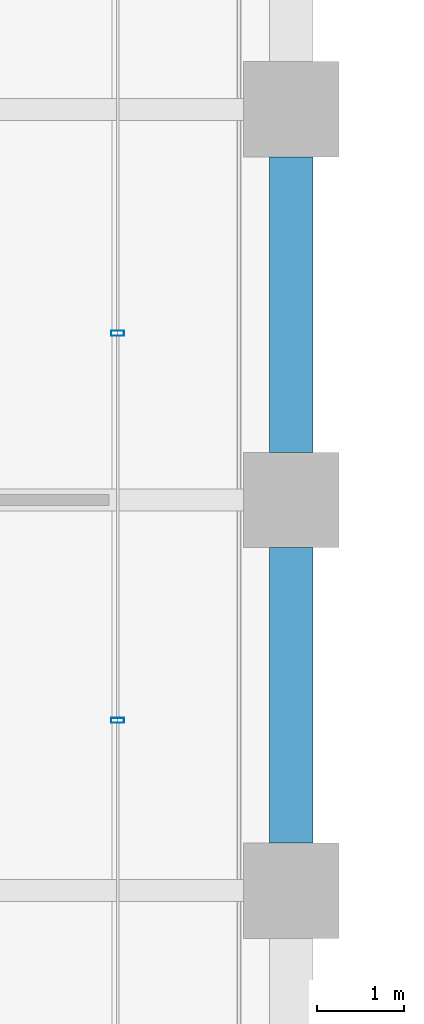
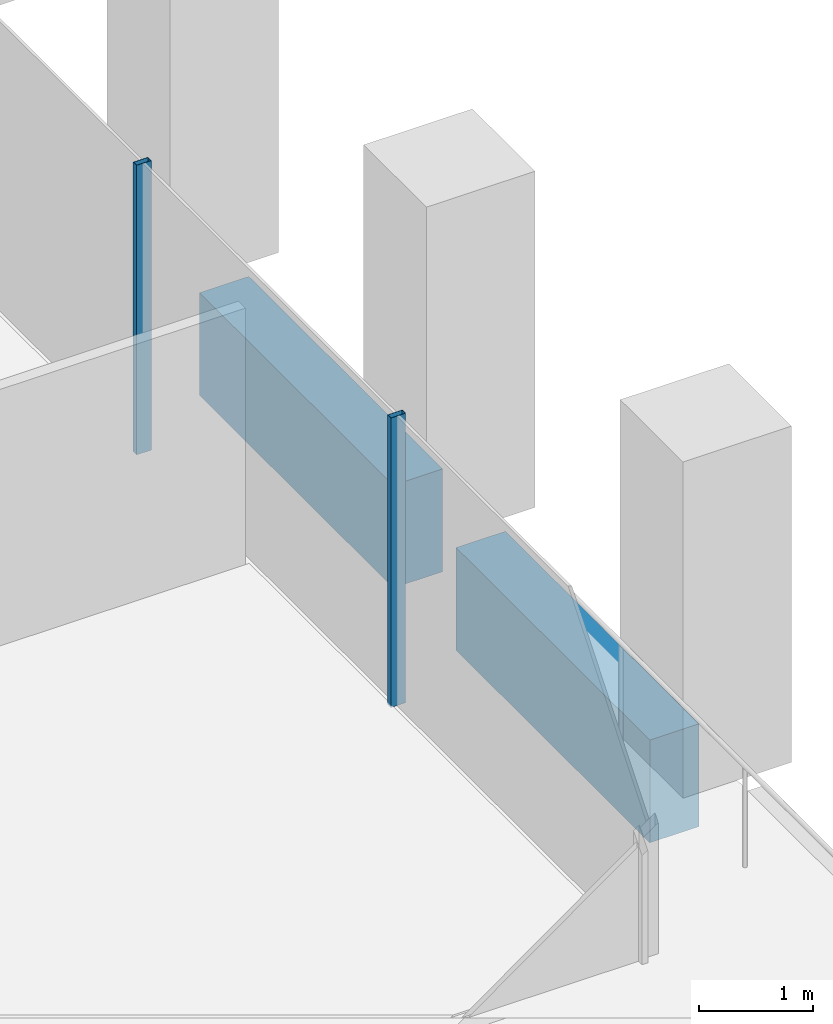
# One storey, part 18 of 54: 2 beams, 2 members, 1 element without a shape of its own.
"""IFC4 building model written with IfcOpenShell, lengths in metres."""

from ifc_helpers import new_model, si_unit, direction, frame, origin, origin_2d, place, context, subcontext, project, spatial, rectangle, hollow_rectangle, extrude, material, material_profile, profile_set, type_object, element, aggregate, save


model = new_model("IFC4")

# Units and contexts
model_context = context("Model", 3, precision=1e-05, world=origin(), true_north=direction((0.0, 1.0)))
body_context = subcontext(model_context, "Body", "Model", "MODEL_VIEW")
ifc_project = project(units=[si_unit("LENGTHUNIT", "METRE"), si_unit("AREAUNIT", "SQUARE_METRE"), si_unit("VOLUMEUNIT", "CUBIC_METRE"), si_unit("PLANEANGLEUNIT", "RADIAN"), si_unit("MASSUNIT", "GRAM", prefix="KILO")], contexts=[model_context])

# Site, building, storey
site_placement = place(None, origin())
site = spatial("IfcSite", under=ifc_project, at=site_placement, CompositionType="ELEMENT")
building_placement = place(site_placement, origin())
building = spatial("IfcBuilding", under=site, at=building_placement, Name="Altepetl Exchange Towers", CompositionType="ELEMENT")
storey_placement = place(building_placement, frame((0.0, 0.0, 61.800048828125)))
storey = spatial("IfcBuildingStorey", under=building, at=storey_placement, Name="L14", CompositionType="ELEMENT", Elevation=61.800048828125)

# Curtain wall, members
ifc_material_1 = material(Name="Aluminium 6063-T6 glazing", Category="aluminium")
curtain_wall_type = type_object("IfcCurtainWallType", Name="Loggia glazing system", PredefinedType="NOTDEFINED", material=ifc_material_1)
curtain_wall_placement = place(storey_placement, origin())
curtain_wall = element("IfcCurtainWall", 1, at=curtain_wall_placement, inside=storey, type_object=curtain_wall_type, Name="CW1 run", PredefinedType="NOTDEFINED")
ifc_material_2 = material(Name="Aluminium 6063-T6", Category="aluminium")
ifc_material_profile_1 = material_profile(ifc_material_2, hollow_rectangle(XDim=0.06005859375, YDim=0.14990234375, WallThickness=0.0029296875, at=origin_2d()), Name="Mullion 60x150 aluminium")
ifc_profile_set_1 = profile_set([ifc_material_profile_1], Name="Aluminium 6063-T6")
member_type = type_object("IfcMemberType", Name="Mullion 60x150 aluminium", PredefinedType="MULLION", material=ifc_profile_set_1)
member_1_placement = place(storey_placement, frame((70.0, 37.9609375, 0.0), z_axis=(0.0, 0.0, 1.0), x_axis=(0.0, 1.0, 0.0)))
member_1 = element("IfcMember", 2, at=member_1_placement, type_object=member_type, Name="MU1 mullion", PredefinedType="MULLION", context=body_context, shape_type="SweptSolid", body=[
    extrude(hollow_rectangle(XDim=0.06005859375, YDim=0.14990234375, WallThickness=0.0029296875, at=origin_2d()), origin(), (0.0, 0.0, 1.0), 3.099853515625),
])
member_2_placement = place(storey_placement, frame((70.0, 42.422119140625, 0.0), z_axis=(0.0, 0.0, 1.0), x_axis=(0.0, 1.0, 0.0)))
member_2 = element("IfcMember", 3, at=member_2_placement, type_object=member_type, Name="MU1 mullion", PredefinedType="MULLION", context=body_context, shape_type="SweptSolid", body=[
    extrude(hollow_rectangle(XDim=0.06005859375, YDim=0.14990234375, WallThickness=0.0029296875, at=origin_2d()), origin(), (0.0, 0.0, 1.0), 3.099853515625),
])
aggregate(curtain_wall, [member_1, member_2])

# Beams
ifc_material_3 = material(Name="Concrete C50/60 precast with cantera amarilla facing", Category="concrete")
ifc_material_profile_2 = material_profile(ifc_material_3, rectangle(XDim=0.5, YDim=1.10009765625, at=origin_2d()), Name="500 x 1100")
ifc_profile_set_2 = profile_set([ifc_material_profile_2], Name="Concrete C50/60 precast with cantera amarilla facing")
beam_type = type_object("IfcBeamType", Name="Spandrel beam 500x1100 cantera amarilla", PredefinedType="SPANDREL", material=ifc_profile_set_2)
for number, where, z_axis, x_axis, name in (
    (4, (72.0, 36.550048828125, -0.699951171875), (0.0, 1.0, 0.0), (-1.0, 0.0, 0.0), "sp:A:L14:013"),
    (5, (72.0, 41.050048828125, -0.699951171875), (0.0, 1.0, 0.0), (-1.0, 0.0, 0.0), "sp:A:L14:014"),
):
    element("IfcBeam", number, at=place(storey_placement, frame(where, z_axis=z_axis, x_axis=x_axis)), inside=storey, type_object=beam_type, Name=name, PredefinedType="SPANDREL", context=body_context, shape_type="SweptSolid", body=[
        extrude(rectangle(XDim=0.5, YDim=1.10009765625, at=origin_2d()), origin(), (0.0, 0.0, 1.0), 3.39990234375),
    ])

save(model, "model.ifc")
